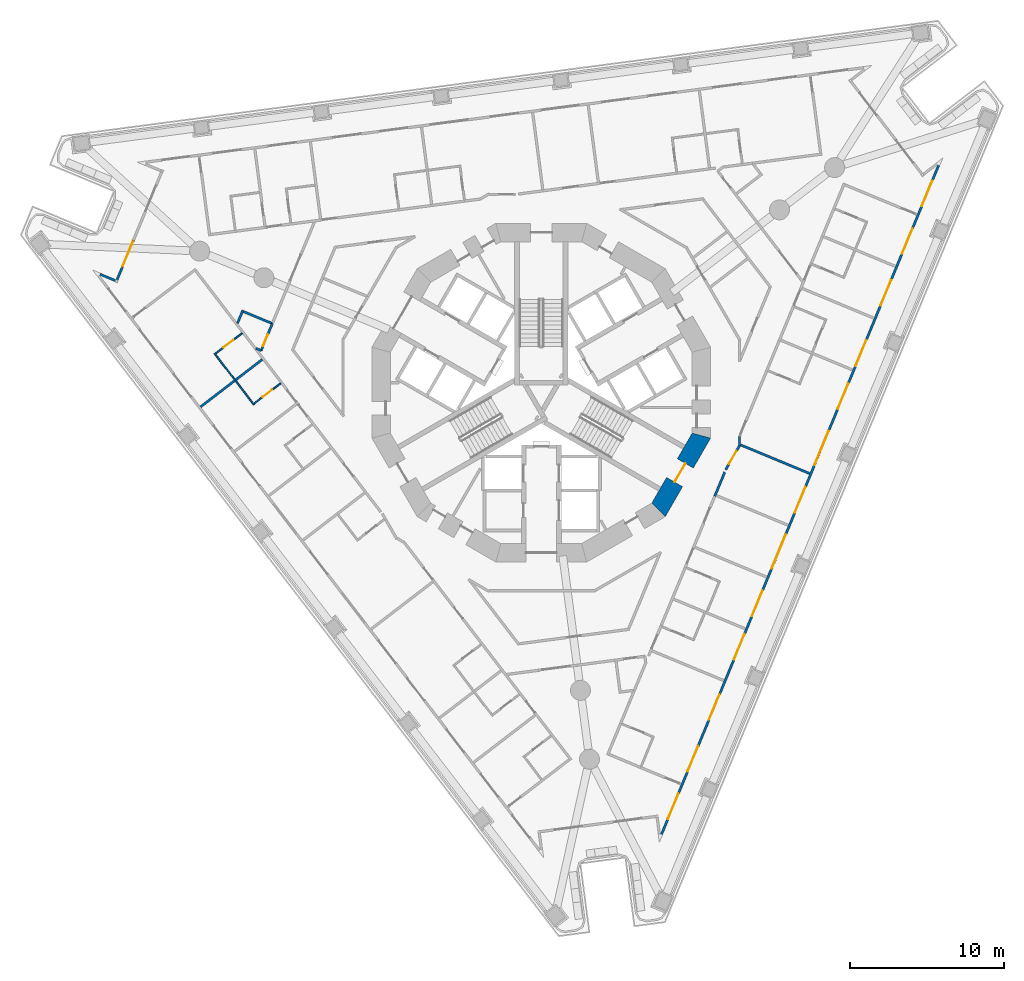
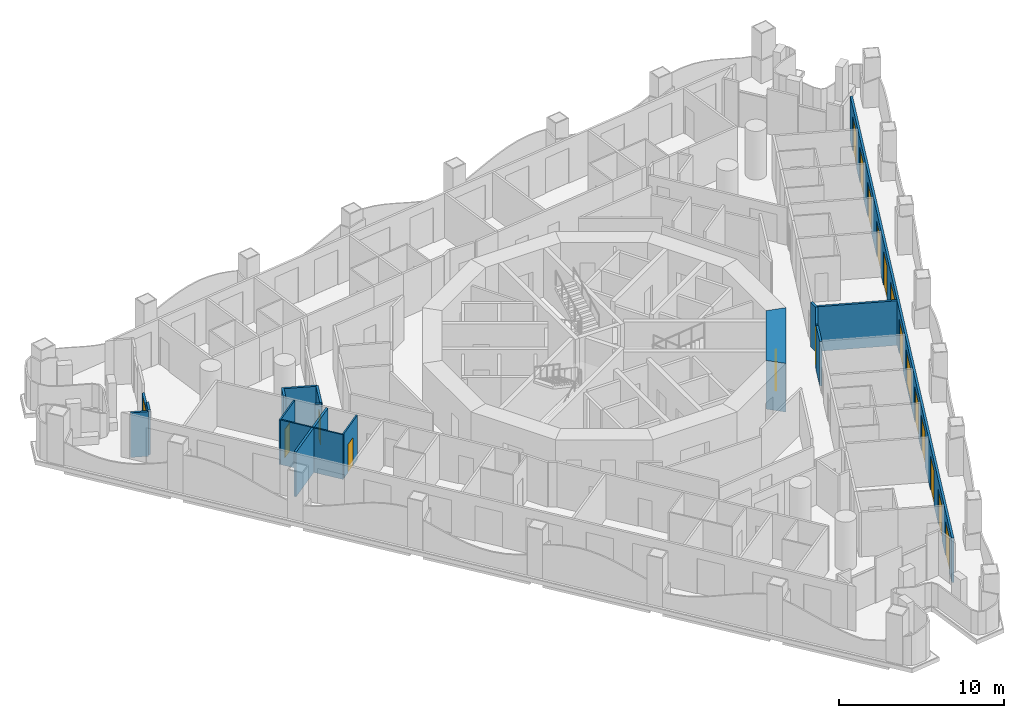
# One storey, part 5 of 19: 18 walls, 17 doors, 2 windows, 19 openings.
"""IFC4 building model written with IfcOpenShell, lengths in metres."""

from ifc_helpers import new_model, si_unit, direction, frame, frame_2d, origin, place, context, subcontext, project, spatial, polyline, rectangle, outline, extrude, material, layer, layer_set, type_object, element, fill, save


model = new_model("IFC4")

# Units and contexts
model_context = context("Model", 3, precision=1e-05, world=origin(), true_north=direction((0.0, 1.0)))
body_context = subcontext(model_context, "Body", "Model", "MODEL_VIEW")
ifc_project = project(units=[si_unit("LENGTHUNIT", "METRE"), si_unit("AREAUNIT", "SQUARE_METRE"), si_unit("VOLUMEUNIT", "CUBIC_METRE"), si_unit("PLANEANGLEUNIT", "RADIAN"), si_unit("MASSUNIT", "GRAM", prefix="KILO")], contexts=[model_context])

# Site, building, storey
site_placement = place(None, origin())
site = spatial("IfcSite", under=ifc_project, at=site_placement, CompositionType="ELEMENT")
building_placement = place(site_placement, origin())
building = spatial("IfcBuilding", under=site, at=building_placement, Name="Trine Commons Tower", CompositionType="ELEMENT")
storey_placement = place(building_placement, frame((0.0, 0.0, 68.39990234375)))
storey = spatial("IfcBuildingStorey", under=building, at=storey_placement, Name="L16", CompositionType="ELEMENT", Elevation=68.39990234375)

# Walls
ifc_material_1 = material(Name="Aluminium-framed insulated wall panel", Category="aluminium")
ifc_layer_1 = layer(ifc_material_1, 0.14990234375)
ifc_layer_set_1 = layer_set([ifc_layer_1], Name="Aluminium-framed insulated wall panel")
wall_type_1 = type_object("IfcWallType", Name="Glazed frame wall 150, EI 60", PredefinedType="SOLIDWALL", material=ifc_layer_set_1)
wall_1_placement = place(storey_placement, frame((51.175537109375, 70.256103515625, 0.0), z_axis=(0.0, 0.0, 1.0), x_axis=(0.923901801611, -0.382629665579, 0.0)))
element("IfcWall", 1, at=wall_1_placement, inside=storey, type_object=wall_type_1, Name="Glazed frame wall R1", PredefinedType="SOLIDWALL", context=body_context, shape_type="SweptSolid", body=[
    extrude(outline(polyline([(0.1494140625, 0.074951171875), (0.1494140625, -0.074951171875), (1.235107421875, -0.074951171875), (1.235107421875, 0.074951171875), (0.1494140625, 0.074951171875)])), origin(), (0.0, 0.0, 1.0), 3.300048828125),
])
wall_2_placement = place(storey_placement, frame((52.372314453125, 69.722412109375, 0.0), z_axis=(0.0, 0.0, 1.0), x_axis=(0.382603377961, 0.923912688068, 0.0)))
element("IfcWall", 2, at=wall_2_placement, inside=storey, type_object=wall_type_1, Name="Glazed frame wall P1.1", PredefinedType="SOLIDWALL", context=body_context, shape_type="SweptSolid", body=[
    extrude(outline(polyline([(0.110107421875, -0.074951171875), (1.0, -0.074951171875), (1.0, 0.074951171875), (0.110107421875, 0.074951171875), (0.110107421875, -0.074951171875)])), origin(), (0.0, 0.0, 1.0), 3.300048828125),
])

# Wall, opening, door
wall_3_placement = place(storey_placement, frame((52.7548828125, 70.646240234375, 0.0), z_axis=(0.0, 0.0, 1.0), x_axis=(0.382771661121, 0.923842982028, 0.0)))
wall_3 = element("IfcWall", 3, at=wall_3_placement, inside=storey, type_object=wall_type_1, Name="Glazed frame wall P1.2", PredefinedType="SOLIDWALL", context=body_context, shape_type="SweptSolid", body=[
    extrude(outline(polyline([(0.0, -0.074951171875), (1.89990234375, -0.074951171875), (1.89990234375, 0.074951171875), (0.0, 0.074951171875), (0.0, -0.074951171875)])), origin(), (0.0, 0.0, 1.0), 2.650146484375),
])
opening_1_placement = place(wall_3_placement, frame((0.050048828125, 0.0, 0.0)))
opening_1 = element("IfcOpeningElement", 4, at=opening_1_placement, cuts=wall_3, Name="Opening BD-2P1-01", PredefinedType="OPENING", context=body_context, shape_type="SweptSolid", body=[
    extrude(rectangle(XDim=1.800048828125, YDim=2.60009765625, at=frame_2d((0.89990234375, 1.300048828125))), frame((0.0, 0.0849609375, 0.0), z_axis=(0.0, -1.0, 0.0), x_axis=(1.0, 0.0, 0.0)), (0.0, 0.0, 1.0), 0.169921875),
])
ifc_material_2 = material(Name="Anodised aluminium frame with double glazing", Category="aluminium")
door_type_1 = type_object("IfcDoorType", Name="Sliding loggia door 1800x2600", OperationType="SLIDING_TO_LEFT", PredefinedType="DOOR", material=ifc_material_2)
door_1_placement = place(opening_1_placement, origin())
door_1 = element("IfcDoor", 5, at=door_1_placement, inside=storey, type_object=door_type_1, Name="Loggia door P1 1", OperationType="SLIDING_TO_LEFT", OverallHeight=2.60009765625, OverallWidth=1.800048828125, PredefinedType="DOOR", context=body_context, shape_type="SweptSolid", body=[
    extrude(rectangle(XDim=1.800048828125, YDim=2.60009765625, at=frame_2d((0.89990234375, 1.300048828125))), frame((0.0, 0.02490234375, 0.0), z_axis=(0.0, -1.0, 0.0), x_axis=(1.0, 0.0, 0.0)), (0.0, 0.0, 1.0), 0.050048828125),
])
fill(opening_1, door_1)

# Wall, openings, windows, doors
wall_4_placement = place(storey_placement, frame((105.888671875, 77.410888671875, 0.0), z_axis=(0.0, 0.0, 1.0), x_axis=(-0.38268395344, -0.923879316675, 0.0)))
wall_4 = element("IfcWall", 6, at=wall_4_placement, inside=storey, type_object=wall_type_1, Name="Glazed frame wall F2", PredefinedType="SOLIDWALL", context=body_context, shape_type="SweptSolid", body=[
    extrude(outline(polyline([(0.1494140625, 0.074951171875), (0.1494140625, -0.074951171875), (47.216796875, -0.074951171875), (47.216796875, 0.074951171875), (0.1494140625, 0.074951171875)])), origin(), (0.0, 0.0, 1.0), 3.300048828125),
])
opening_2_placement = place(wall_4_placement, frame((1.2216796875, 0.0, 0.0)))
opening_2 = element("IfcOpeningElement", 7, at=opening_2_placement, cuts=wall_4, Name="Opening BD-2F2-01", PredefinedType="OPENING", context=body_context, shape_type="SweptSolid", body=[
    extrude(rectangle(XDim=1.800048828125, YDim=2.60009765625, at=frame_2d((0.89990234375, 1.300048828125))), frame((0.0, 0.0849609375, 0.0), z_axis=(0.0, -1.0, 0.0), x_axis=(1.0, 0.0, 0.0)), (0.0, 0.0, 1.0), 0.169921875),
])
opening_3_placement = place(wall_4_placement, frame((4.5654296875, 0.0, 0.0)))
opening_3 = element("IfcOpeningElement", 8, at=opening_3_placement, cuts=wall_4, Name="Opening BD-2F2-02", PredefinedType="OPENING", context=body_context, shape_type="SweptSolid", body=[
    extrude(rectangle(XDim=1.800048828125, YDim=2.60009765625, at=frame_2d((0.89990234375, 1.300048828125))), frame((0.0, 0.0849609375, 0.0), z_axis=(0.0, -1.0, 0.0), x_axis=(1.0, 0.0, 0.0)), (0.0, 0.0, 1.0), 0.169921875),
])
opening_4_placement = place(wall_4_placement, frame((8.208984375, 0.0, 0.0)))
opening_4 = element("IfcOpeningElement", 9, at=opening_4_placement, cuts=wall_4, Name="Opening BD-2F2-03", PredefinedType="OPENING", context=body_context, shape_type="SweptSolid", body=[
    extrude(rectangle(XDim=1.800048828125, YDim=2.60009765625, at=frame_2d((0.89990234375, 1.300048828125))), frame((0.0, 0.0849609375, 0.0), z_axis=(0.0, -1.0, 0.0), x_axis=(1.0, 0.0, 0.0)), (0.0, 0.0, 1.0), 0.169921875),
])
opening_5_placement = place(wall_4_placement, frame((12.45263671875, 0.0, 0.0)))
opening_5 = element("IfcOpeningElement", 10, at=opening_5_placement, cuts=wall_4, Name="Opening BD-2F2-04", PredefinedType="OPENING", context=body_context, shape_type="SweptSolid", body=[
    extrude(rectangle(XDim=1.800048828125, YDim=2.60009765625, at=frame_2d((0.89990234375, 1.300048828125))), frame((0.0, 0.0849609375, 0.0), z_axis=(0.0, -1.0, 0.0), x_axis=(1.0, 0.0, 0.0)), (0.0, 0.0, 1.0), 0.169921875),
])
opening_6_placement = place(wall_4_placement, frame((15.49609375, 0.0, 0.0)))
opening_6 = element("IfcOpeningElement", 11, at=opening_6_placement, cuts=wall_4, Name="Opening BD-2F2-05", PredefinedType="OPENING", context=body_context, shape_type="SweptSolid", body=[
    extrude(rectangle(XDim=1.800048828125, YDim=2.60009765625, at=frame_2d((0.89990234375, 1.300048828125))), frame((0.0, 0.0849609375, 0.0), z_axis=(0.0, -1.0, 0.0), x_axis=(1.0, 0.0, 0.0)), (0.0, 0.0, 1.0), 0.169921875),
])
opening_7_placement = place(wall_4_placement, frame((18.83984375, 0.0, 0.14990234375)))
opening_7 = element("IfcOpeningElement", 12, at=opening_7_placement, cuts=wall_4, Name="Opening W-2F2-06", PredefinedType="OPENING", context=body_context, shape_type="SweptSolid", body=[
    extrude(rectangle(XDim=2.39990234375, YDim=2.449951171875, at=frame_2d((1.199951171875, 1.22509765625))), frame((0.0, 0.0849609375, 0.0), z_axis=(0.0, -1.0, 0.0), x_axis=(1.0, 0.0, 0.0)), (0.0, 0.0, 1.0), 0.169921875),
])
opening_8_placement = place(wall_4_placement, frame((22.783447265625, 0.0, 0.0)))
opening_8 = element("IfcOpeningElement", 13, at=opening_8_placement, cuts=wall_4, Name="Opening BD-2F2-07", PredefinedType="OPENING", context=body_context, shape_type="SweptSolid", body=[
    extrude(rectangle(XDim=1.800048828125, YDim=2.60009765625, at=frame_2d((0.89990234375, 1.300048828125))), frame((0.0, 0.0849609375, 0.0), z_axis=(0.0, -1.0, 0.0), x_axis=(1.0, 0.0, 0.0)), (0.0, 0.0, 1.0), 0.169921875),
])
opening_9_placement = place(wall_4_placement, frame((26.126953125, 0.0, 0.14990234375)))
opening_9 = element("IfcOpeningElement", 14, at=opening_9_placement, cuts=wall_4, Name="Opening W-2F2-08", PredefinedType="OPENING", context=body_context, shape_type="SweptSolid", body=[
    extrude(rectangle(XDim=2.39990234375, YDim=2.449951171875, at=frame_2d((1.199951171875, 1.22509765625))), frame((0.0, 0.0849609375, 0.0), z_axis=(0.0, -1.0, 0.0), x_axis=(1.0, 0.0, 0.0)), (0.0, 0.0, 1.0), 0.169921875),
])
opening_10_placement = place(wall_4_placement, frame((30.070556640625, 0.0, 0.0)))
opening_10 = element("IfcOpeningElement", 15, at=opening_10_placement, cuts=wall_4, Name="Opening BD-2F2-09", PredefinedType="OPENING", context=body_context, shape_type="SweptSolid", body=[
    extrude(rectangle(XDim=1.800048828125, YDim=2.60009765625, at=frame_2d((0.89990234375, 1.300048828125))), frame((0.0, 0.0849609375, 0.0), z_axis=(0.0, -1.0, 0.0), x_axis=(1.0, 0.0, 0.0)), (0.0, 0.0, 1.0), 0.169921875),
])
opening_11_placement = place(wall_4_placement, frame((33.1142578125, 0.0, 0.0)))
opening_11 = element("IfcOpeningElement", 16, at=opening_11_placement, cuts=wall_4, Name="Opening BD-2F2-10", PredefinedType="OPENING", context=body_context, shape_type="SweptSolid", body=[
    extrude(rectangle(XDim=1.800048828125, YDim=2.60009765625, at=frame_2d((0.89990234375, 1.300048828125))), frame((0.0, 0.0849609375, 0.0), z_axis=(0.0, -1.0, 0.0), x_axis=(1.0, 0.0, 0.0)), (0.0, 0.0, 1.0), 0.169921875),
])
opening_12_placement = place(wall_4_placement, frame((37.35791015625, 0.0, 0.0)))
opening_12 = element("IfcOpeningElement", 17, at=opening_12_placement, cuts=wall_4, Name="Opening BD-2F2-11", PredefinedType="OPENING", context=body_context, shape_type="SweptSolid", body=[
    extrude(rectangle(XDim=1.800048828125, YDim=2.60009765625, at=frame_2d((0.89990234375, 1.300048828125))), frame((0.0, 0.0849609375, 0.0), z_axis=(0.0, -1.0, 0.0), x_axis=(1.0, 0.0, 0.0)), (0.0, 0.0, 1.0), 0.169921875),
])
opening_13_placement = place(wall_4_placement, frame((41.00146484375, 0.0, 0.0)))
opening_13 = element("IfcOpeningElement", 18, at=opening_13_placement, cuts=wall_4, Name="Opening BD-2F2-12", PredefinedType="OPENING", context=body_context, shape_type="SweptSolid", body=[
    extrude(rectangle(XDim=1.800048828125, YDim=2.60009765625, at=frame_2d((0.89990234375, 1.300048828125))), frame((0.0, 0.0849609375, 0.0), z_axis=(0.0, -1.0, 0.0), x_axis=(1.0, 0.0, 0.0)), (0.0, 0.0, 1.0), 0.169921875),
])
opening_14_placement = place(wall_4_placement, frame((44.344970703125, 0.0, 0.0)))
opening_14 = element("IfcOpeningElement", 19, at=opening_14_placement, cuts=wall_4, Name="Opening BD-2F2-13", PredefinedType="OPENING", context=body_context, shape_type="SweptSolid", body=[
    extrude(rectangle(XDim=1.800048828125, YDim=2.60009765625, at=frame_2d((0.89990234375, 1.300048828125))), frame((0.0, 0.0849609375, 0.0), z_axis=(0.0, -1.0, 0.0), x_axis=(1.0, 0.0, 0.0)), (0.0, 0.0, 1.0), 0.169921875),
])
window_type = type_object("IfcWindowType", Name="Fixed window 2400x2450", PartitioningType="SINGLE_PANEL", PredefinedType="WINDOW", material=ifc_material_2)
window_1_placement = place(opening_7_placement, origin())
window_1 = element("IfcWindow", 20, at=window_1_placement, inside=storey, type_object=window_type, Name="Window F2 6", OverallHeight=2.449951171875, OverallWidth=2.39990234375, PartitioningType="SINGLE_PANEL", PredefinedType="WINDOW", context=body_context, shape_type="SweptSolid", body=[
    extrude(rectangle(XDim=2.39990234375, YDim=2.449951171875, at=frame_2d((1.199951171875, 1.22509765625))), frame((0.0, 0.030029296875, 0.0), z_axis=(0.0, -1.0, 0.0), x_axis=(1.0, 0.0, 0.0)), (0.0, 0.0, 1.0), 0.06005859375),
])
fill(opening_7, window_1)
window_2_placement = place(opening_9_placement, origin())
window_2 = element("IfcWindow", 21, at=window_2_placement, inside=storey, type_object=window_type, Name="Window F2 8", OverallHeight=2.449951171875, OverallWidth=2.39990234375, PartitioningType="SINGLE_PANEL", PredefinedType="WINDOW", context=body_context, shape_type="SweptSolid", body=[
    extrude(rectangle(XDim=2.39990234375, YDim=2.449951171875, at=frame_2d((1.199951171875, 1.22509765625))), frame((0.0, 0.030029296875, 0.0), z_axis=(0.0, -1.0, 0.0), x_axis=(1.0, 0.0, 0.0)), (0.0, 0.0, 1.0), 0.06005859375),
])
fill(opening_9, window_2)
door_2_placement = place(opening_2_placement, origin())
door_2 = element("IfcDoor", 22, at=door_2_placement, inside=storey, type_object=door_type_1, Name="Loggia door F2 1", OperationType="SLIDING_TO_LEFT", OverallHeight=2.60009765625, OverallWidth=1.800048828125, PredefinedType="DOOR", context=body_context, shape_type="SweptSolid", body=[
    extrude(rectangle(XDim=1.800048828125, YDim=2.60009765625, at=frame_2d((0.89990234375, 1.300048828125))), frame((0.0, 0.02490234375, 0.0), z_axis=(0.0, -1.0, 0.0), x_axis=(1.0, 0.0, 0.0)), (0.0, 0.0, 1.0), 0.050048828125),
])
fill(opening_2, door_2)
door_3_placement = place(opening_3_placement, origin())
door_3 = element("IfcDoor", 23, at=door_3_placement, inside=storey, type_object=door_type_1, Name="Loggia door F2 2", OperationType="SLIDING_TO_LEFT", OverallHeight=2.60009765625, OverallWidth=1.800048828125, PredefinedType="DOOR", context=body_context, shape_type="SweptSolid", body=[
    extrude(rectangle(XDim=1.800048828125, YDim=2.60009765625, at=frame_2d((0.89990234375, 1.300048828125))), frame((0.0, 0.02490234375, 0.0), z_axis=(0.0, -1.0, 0.0), x_axis=(1.0, 0.0, 0.0)), (0.0, 0.0, 1.0), 0.050048828125),
])
fill(opening_3, door_3)
door_4_placement = place(opening_4_placement, origin())
door_4 = element("IfcDoor", 24, at=door_4_placement, inside=storey, type_object=door_type_1, Name="Loggia door F2 3", OperationType="SLIDING_TO_LEFT", OverallHeight=2.60009765625, OverallWidth=1.800048828125, PredefinedType="DOOR", context=body_context, shape_type="SweptSolid", body=[
    extrude(rectangle(XDim=1.800048828125, YDim=2.60009765625, at=frame_2d((0.89990234375, 1.300048828125))), frame((0.0, 0.02490234375, 0.0), z_axis=(0.0, -1.0, 0.0), x_axis=(1.0, 0.0, 0.0)), (0.0, 0.0, 1.0), 0.050048828125),
])
fill(opening_4, door_4)
door_5_placement = place(opening_5_placement, origin())
door_5 = element("IfcDoor", 25, at=door_5_placement, inside=storey, type_object=door_type_1, Name="Loggia door F2 4", OperationType="SLIDING_TO_LEFT", OverallHeight=2.60009765625, OverallWidth=1.800048828125, PredefinedType="DOOR", context=body_context, shape_type="SweptSolid", body=[
    extrude(rectangle(XDim=1.800048828125, YDim=2.60009765625, at=frame_2d((0.89990234375, 1.300048828125))), frame((0.0, 0.02490234375, 0.0), z_axis=(0.0, -1.0, 0.0), x_axis=(1.0, 0.0, 0.0)), (0.0, 0.0, 1.0), 0.050048828125),
])
fill(opening_5, door_5)
door_6_placement = place(opening_6_placement, origin())
door_6 = element("IfcDoor", 26, at=door_6_placement, inside=storey, type_object=door_type_1, Name="Loggia door F2 5", OperationType="SLIDING_TO_LEFT", OverallHeight=2.60009765625, OverallWidth=1.800048828125, PredefinedType="DOOR", context=body_context, shape_type="SweptSolid", body=[
    extrude(rectangle(XDim=1.800048828125, YDim=2.60009765625, at=frame_2d((0.89990234375, 1.300048828125))), frame((0.0, 0.02490234375, 0.0), z_axis=(0.0, -1.0, 0.0), x_axis=(1.0, 0.0, 0.0)), (0.0, 0.0, 1.0), 0.050048828125),
])
fill(opening_6, door_6)
door_7_placement = place(opening_8_placement, origin())
door_7 = element("IfcDoor", 27, at=door_7_placement, inside=storey, type_object=door_type_1, Name="Loggia door F2 7", OperationType="SLIDING_TO_LEFT", OverallHeight=2.60009765625, OverallWidth=1.800048828125, PredefinedType="DOOR", context=body_context, shape_type="SweptSolid", body=[
    extrude(rectangle(XDim=1.800048828125, YDim=2.60009765625, at=frame_2d((0.89990234375, 1.300048828125))), frame((0.0, 0.02490234375, 0.0), z_axis=(0.0, -1.0, 0.0), x_axis=(1.0, 0.0, 0.0)), (0.0, 0.0, 1.0), 0.050048828125),
])
fill(opening_8, door_7)
door_8_placement = place(opening_10_placement, origin())
door_8 = element("IfcDoor", 28, at=door_8_placement, inside=storey, type_object=door_type_1, Name="Loggia door F2 9", OperationType="SLIDING_TO_LEFT", OverallHeight=2.60009765625, OverallWidth=1.800048828125, PredefinedType="DOOR", context=body_context, shape_type="SweptSolid", body=[
    extrude(rectangle(XDim=1.800048828125, YDim=2.60009765625, at=frame_2d((0.89990234375, 1.300048828125))), frame((0.0, 0.02490234375, 0.0), z_axis=(0.0, -1.0, 0.0), x_axis=(1.0, 0.0, 0.0)), (0.0, 0.0, 1.0), 0.050048828125),
])
fill(opening_10, door_8)
door_9_placement = place(opening_11_placement, origin())
door_9 = element("IfcDoor", 29, at=door_9_placement, inside=storey, type_object=door_type_1, Name="Loggia door F2 10", OperationType="SLIDING_TO_LEFT", OverallHeight=2.60009765625, OverallWidth=1.800048828125, PredefinedType="DOOR", context=body_context, shape_type="SweptSolid", body=[
    extrude(rectangle(XDim=1.800048828125, YDim=2.60009765625, at=frame_2d((0.89990234375, 1.300048828125))), frame((0.0, 0.02490234375, 0.0), z_axis=(0.0, -1.0, 0.0), x_axis=(1.0, 0.0, 0.0)), (0.0, 0.0, 1.0), 0.050048828125),
])
fill(opening_11, door_9)
door_10_placement = place(opening_12_placement, origin())
door_10 = element("IfcDoor", 30, at=door_10_placement, inside=storey, type_object=door_type_1, Name="Loggia door F2 11", OperationType="SLIDING_TO_LEFT", OverallHeight=2.60009765625, OverallWidth=1.800048828125, PredefinedType="DOOR", context=body_context, shape_type="SweptSolid", body=[
    extrude(rectangle(XDim=1.800048828125, YDim=2.60009765625, at=frame_2d((0.89990234375, 1.300048828125))), frame((0.0, 0.02490234375, 0.0), z_axis=(0.0, -1.0, 0.0), x_axis=(1.0, 0.0, 0.0)), (0.0, 0.0, 1.0), 0.050048828125),
])
fill(opening_12, door_10)
door_11_placement = place(opening_13_placement, origin())
door_11 = element("IfcDoor", 31, at=door_11_placement, inside=storey, type_object=door_type_1, Name="Loggia door F2 12", OperationType="SLIDING_TO_LEFT", OverallHeight=2.60009765625, OverallWidth=1.800048828125, PredefinedType="DOOR", context=body_context, shape_type="SweptSolid", body=[
    extrude(rectangle(XDim=1.800048828125, YDim=2.60009765625, at=frame_2d((0.89990234375, 1.300048828125))), frame((0.0, 0.02490234375, 0.0), z_axis=(0.0, -1.0, 0.0), x_axis=(1.0, 0.0, 0.0)), (0.0, 0.0, 1.0), 0.050048828125),
])
fill(opening_13, door_11)
door_12_placement = place(opening_14_placement, origin())
door_12 = element("IfcDoor", 32, at=door_12_placement, inside=storey, type_object=door_type_1, Name="Loggia door F2 13", OperationType="SLIDING_TO_LEFT", OverallHeight=2.60009765625, OverallWidth=1.800048828125, PredefinedType="DOOR", context=body_context, shape_type="SweptSolid", body=[
    extrude(rectangle(XDim=1.800048828125, YDim=2.60009765625, at=frame_2d((0.89990234375, 1.300048828125))), frame((0.0, 0.02490234375, 0.0), z_axis=(0.0, -1.0, 0.0), x_axis=(1.0, 0.0, 0.0)), (0.0, 0.0, 1.0), 0.050048828125),
])
fill(opening_14, door_12)

# Wall, opening, door
ifc_material_3 = material(Name="Concrete C80/95", Category="concrete")
ifc_layer_2 = layer(ifc_material_3, 1.199951171875)
ifc_layer_set_2 = layer_set([ifc_layer_2], Name="Concrete C80/95")
wall_type_2 = type_object("IfcWallType", Name="RC shear wall 1200 mm, C80/95", PredefinedType="SHEAR", material=ifc_layer_set_2)
wall_5_placement = place(storey_placement, frame((87.54150390625, 54.739013671875, 0.0), z_axis=(0.0, 0.0, 1.0), x_axis=(0.499979111662, 0.866037463336, 0.0)))
wall_5 = element("IfcWall", 33, at=wall_5_placement, inside=storey, type_object=wall_type_2, Name="Core wall CWB-12 L16", PredefinedType="SHEAR", context=body_context, shape_type="SweptSolid", body=[
    extrude(outline(polyline([(0.0, -0.60009765625), (5.901123046875, -0.60009765625), (5.57958984375, 0.60009765625), (0.321533203125, 0.60009765625), (0.0, -0.60009765625)])), origin(), (0.0, 0.0, 1.0), 3.60009765625),
])
opening_15_placement = place(wall_5_placement, frame((2.25048828125, 0.0, 0.0)))
opening_15 = element("IfcOpeningElement", 34, at=opening_15_placement, cuts=wall_5, Name="Opening K07.03", PredefinedType="OPENING", context=body_context, shape_type="SweptSolid", body=[
    extrude(rectangle(XDim=1.39990234375, YDim=2.10009765625, at=frame_2d((0.699951171875, 1.050048828125))), frame((0.0, 0.60986328125, 0.0), z_axis=(0.0, -1.0, 0.0), x_axis=(1.0, 0.0, 0.0)), (0.0, 0.0, 1.0), 1.219970703125),
])
ifc_material_4 = material(Name="Steel door leaves, fire-rated", Category="steel")
door_type_2 = type_object("IfcDoorType", Name="Stair door, double leaf 1400 x 2100, FD90", OperationType="DOUBLE_DOOR_SINGLE_SWING", PredefinedType="DOOR", material=ifc_material_4)
door_13_placement = place(opening_15_placement, origin())
door_13 = element("IfcDoor", 35, at=door_13_placement, inside=storey, type_object=door_type_2, Name="Stair door to Exit stair ST3A L16", OperationType="DOUBLE_DOOR_SINGLE_SWING", OverallHeight=2.10009765625, OverallWidth=1.39990234375, PredefinedType="DOOR", context=body_context, shape_type="SweptSolid", body=[
    extrude(rectangle(XDim=1.39990234375, YDim=2.10009765625, at=frame_2d((0.699951171875, 1.050048828125))), frame((0.0, 0.02490234375, 0.0), z_axis=(0.0, -1.0, 0.0), x_axis=(1.0, 0.0, 0.0)), (0.0, 0.0, 1.0), 0.050048828125),
])
fill(opening_15, door_13)

# Walls
ifc_material_5 = material(Name="Gypsum plasterboard on steel stud", Category="steel")
ifc_layer_3 = layer(ifc_material_5, 0.14990234375)
ifc_layer_set_3 = layer_set([ifc_layer_3], Name="Gypsum plasterboard on steel stud")
wall_type_3 = type_object("IfcWallType", Name="Unit and corridor wall 150 mm, EI 60", PredefinedType="PARTITIONING", material=ifc_layer_set_3)
wall_6_placement = place(storey_placement, frame((57.84765625, 61.576416015625, 0.0), z_axis=(0.0, 0.0, 1.0), x_axis=(0.793280814045, 0.608855935397, 0.0)))
element("IfcWall", 36, at=wall_6_placement, inside=storey, type_object=wall_type_3, Name="Partition 004", PredefinedType="PARTITIONING", context=body_context, shape_type="SweptSolid", body=[
    extrude(rectangle(XDim=2.789306640625, YDim=0.14990234375, at=frame_2d((1.39453125, 0.0))), origin(), (0.0, 0.0, 1.0), 3.300048828125),
])
wall_7_placement = place(storey_placement, frame((60.1396484375, 63.33544921875, 0.0), z_axis=(0.0, 0.0, 1.0), x_axis=(0.79342025342, 0.608674216197, 0.0)))
element("IfcWall", 37, at=wall_7_placement, inside=storey, type_object=wall_type_3, Name="Partition 011", PredefinedType="PARTITIONING", context=body_context, shape_type="SweptSolid", body=[
    extrude(rectangle(XDim=2.17529296875, YDim=0.14990234375, at=frame_2d((1.087646484375, 0.0))), origin(), (0.0, 0.0, 1.0), 3.300048828125),
])
wall_8_placement = place(storey_placement, frame((60.24560546875, 67.000244140625, 0.0), z_axis=(0.0, 0.0, 1.0), x_axis=(0.383080061035, 0.923715143774, 0.0)))
element("IfcWall", 38, at=wall_8_placement, inside=storey, type_object=wall_type_3, Name="Partition 013", PredefinedType="PARTITIONING", context=body_context, shape_type="SweptSolid", body=[
    extrude(rectangle(XDim=0.9375, YDim=0.14990234375, at=frame_2d((0.46875, 0.0))), origin(), (0.0, 0.0, 1.0), 3.300048828125),
])
wall_9_placement = place(storey_placement, frame((60.645263671875, 67.768310546875, 0.0), z_axis=(0.0, 0.0, 1.0), x_axis=(0.923799320148, -0.382877024767, 0.0)))
element("IfcWall", 39, at=wall_9_placement, inside=storey, type_object=wall_type_3, Name="Partition 014", PredefinedType="PARTITIONING", context=body_context, shape_type="SweptSolid", body=[
    extrude(rectangle(XDim=2.025146484375, YDim=0.14990234375, at=frame_2d((1.0126953125, 0.0))), origin(), (0.0, 0.0, 1.0), 3.300048828125),
])
wall_10_placement = place(storey_placement, frame((61.43896484375, 65.38330078125, 0.0), z_axis=(0.0, 0.0, 1.0), x_axis=(0.923599819829, -0.383358021714, 0.0)))
element("IfcWall", 40, at=wall_10_placement, inside=storey, type_object=wall_type_3, Name="Partition 017", PredefinedType="PARTITIONING", context=body_context, shape_type="SweptSolid", body=[
    extrude(rectangle(XDim=0.39990234375, YDim=0.14990234375, at=frame_2d((0.199951171875, 0.0))), origin(), (0.0, 0.0, 1.0), 3.300048828125),
])

# Wall, opening, door
wall_11_placement = place(storey_placement, frame((61.787109375, 65.23388671875, 0.0), z_axis=(0.0, 0.0, 1.0), x_axis=(0.38314285934, 0.923689097769, 0.0)))
wall_11 = element("IfcWall", 41, at=wall_11_placement, inside=storey, type_object=wall_type_3, Name="Partition 019", PredefinedType="PARTITIONING", context=body_context, shape_type="SweptSolid", body=[
    extrude(rectangle(XDim=1.90771484375, YDim=0.14990234375, at=frame_2d((0.953857421875, 0.0))), origin(), (0.0, 0.0, 1.0), 3.300048828125),
])
opening_16_placement = place(wall_11_placement, frame((0.328125, 0.0, 0.0)))
opening_16 = element("IfcOpeningElement", 42, at=opening_16_placement, cuts=wall_11, Name="Opening D-2B06", PredefinedType="OPENING", context=body_context, shape_type="SweptSolid", body=[
    extrude(rectangle(XDim=0.800048828125, YDim=2.10009765625, at=frame_2d((0.39990234375, 1.050048828125))), frame((0.0, 0.0849609375, 0.0), z_axis=(0.0, -1.0, 0.0), x_axis=(1.0, 0.0, 0.0)), (0.0, 0.0, 1.0), 0.169921875),
])
ifc_material_6 = material(Name="Painted timber", Category="wood")
door_type_3 = type_object("IfcDoorType", Name="Toilet door 800 x 2100, NOT RATED", OperationType="NOTDEFINED", PredefinedType="DOOR", material=ifc_material_6)
door_14_placement = place(opening_16_placement, origin())
door_14 = element("IfcDoor", 43, at=door_14_placement, inside=storey, type_object=door_type_3, Name="Door D-2B06", OperationType="SINGLE_SWING_LEFT", OverallHeight=2.10009765625, OverallWidth=0.800048828125, PredefinedType="DOOR", context=body_context, shape_type="SweptSolid", body=[
    extrude(rectangle(XDim=0.800048828125, YDim=2.10009765625, at=frame_2d((0.39990234375, 1.050048828125))), frame((0.0, 0.02490234375, 0.0), z_axis=(0.0, -1.0, 0.0), x_axis=(1.0, 0.0, 0.0)), (0.0, 0.0, 1.0), 0.050048828125),
])
fill(opening_16, door_14)

# Wall
wall_12_placement = place(storey_placement, frame((91.2802734375, 55.769775390625, 0.0), z_axis=(0.0, 0.0, 1.0), x_axis=(0.382865069258, 0.923804275127, 0.0)))
element("IfcWall", 44, at=wall_12_placement, inside=storey, type_object=wall_type_3, Name="Partition 121", PredefinedType="PARTITIONING", context=body_context, shape_type="SweptSolid", body=[
    extrude(rectangle(XDim=1.6943359375, YDim=0.14990234375, at=frame_2d((0.84716796875, 0.0))), origin(), (0.0, 0.0, 1.0), 3.300048828125),
])

# Wall, opening, door
wall_13_placement = place(storey_placement, frame((91.988037109375, 57.490966796875, 0.0), z_axis=(0.0, 0.0, 1.0), x_axis=(0.500200642588, 0.865909531738, 0.0)))
wall_13 = element("IfcWall", 45, at=wall_13_placement, inside=storey, type_object=wall_type_3, Name="Partition 126", PredefinedType="PARTITIONING", context=body_context, shape_type="SweptSolid", body=[
    extrude(rectangle(XDim=1.797119140625, YDim=0.14990234375, at=frame_2d((0.8984375, 0.0))), origin(), (0.0, 0.0, 1.0), 3.300048828125),
])
opening_17_placement = place(wall_13_placement, frame((0.418701171875, 0.0, 0.0)))
opening_17 = element("IfcOpeningElement", 46, at=opening_17_placement, cuts=wall_13, Name="Opening D-2B18", PredefinedType="OPENING", context=body_context, shape_type="SweptSolid", body=[
    extrude(rectangle(XDim=1.0, YDim=2.10009765625, at=frame_2d((0.5, 1.050048828125))), frame((0.0, 0.0849609375, 0.0), z_axis=(0.0, -1.0, 0.0), x_axis=(1.0, 0.0, 0.0)), (0.0, 0.0, 1.0), 0.169921875),
])
door_type_4 = type_object("IfcDoorType", Name="Amenity room door 1000 x 2100, NOT RATED", OperationType="NOTDEFINED", PredefinedType="DOOR", material=ifc_material_6)
door_15_placement = place(opening_17_placement, frame((1.0, 0.0, 0.0), z_axis=(0.0, 0.0, 1.0), x_axis=(-1.0, 0.0, 0.0)))
door_15 = element("IfcDoor", 47, at=door_15_placement, inside=storey, type_object=door_type_4, Name="Door D-2B18", OperationType="SINGLE_SWING_LEFT", OverallHeight=2.10009765625, OverallWidth=1.0, PredefinedType="DOOR", context=body_context, shape_type="SweptSolid", body=[
    extrude(rectangle(XDim=1.0, YDim=2.10009765625, at=frame_2d((0.5, 1.050048828125))), frame((0.0, 0.02490234375, 0.0), z_axis=(0.0, -1.0, 0.0), x_axis=(1.0, 0.0, 0.0)), (0.0, 0.0, 1.0), 0.050048828125),
])
fill(opening_17, door_15)

# Walls
wall_14_placement = place(storey_placement, frame((92.886962890625, 59.053955078125, 0.0), z_axis=(0.0, 0.0, 1.0), x_axis=(0.0, 1.0, 0.0)))
element("IfcWall", 48, at=wall_14_placement, inside=storey, type_object=wall_type_3, Name="Partition 129", PredefinedType="PARTITIONING", context=body_context, shape_type="SweptSolid", body=[
    extrude(rectangle(XDim=0.60400390625, YDim=0.14990234375, at=frame_2d((0.302001953125, 0.0))), origin(), (0.0, 0.0, 1.0), 3.300048828125),
])
wall_15_placement = place(storey_placement, frame((92.956298828125, 59.105224609375, 0.0), z_axis=(0.0, 0.0, 1.0), x_axis=(0.923843801062, -0.382769684325, 0.0)))
element("IfcWall", 49, at=wall_15_placement, inside=storey, type_object=wall_type_3, Name="Partition 130", PredefinedType="PARTITIONING", context=body_context, shape_type="SweptSolid", body=[
    extrude(rectangle(XDim=4.8671875, YDim=0.14990234375, at=frame_2d((2.43359375, 0.0))), origin(), (0.0, 0.0, 1.0), 3.300048828125),
])

# Wall, opening, door
ifc_layer_4 = layer(ifc_material_5, 0.10009765625)
ifc_layer_set_4 = layer_set([ifc_layer_4], Name="Gypsum plasterboard on steel stud")
wall_type_4 = type_object("IfcWallType", Name="Unit partition 100 mm, no rating", PredefinedType="PARTITIONING", material=ifc_layer_set_4)
wall_16_placement = place(storey_placement, frame((58.751220703125, 64.980712890625, 0.0), z_axis=(0.0, 0.0, 1.0), x_axis=(0.793437070432, 0.608652294224, 0.0)))
wall_16 = element("IfcWall", 50, at=wall_16_placement, inside=storey, type_object=wall_type_4, Name="Partition 006", PredefinedType="PARTITIONING", context=body_context, shape_type="SweptSolid", body=[
    extrude(rectangle(XDim=2.275146484375, YDim=0.10009765625, at=frame_2d((1.1376953125, 0.0))), origin(), (0.0, 0.0, 1.0), 3.300048828125),
])
opening_18_placement = place(wall_16_placement, frame((0.762451171875, 0.0, 0.0)))
opening_18 = element("IfcOpeningElement", 51, at=opening_18_placement, cuts=wall_16, Name="Opening D-2B57", PredefinedType="OPENING", context=body_context, shape_type="SweptSolid", body=[
    extrude(rectangle(XDim=0.800048828125, YDim=2.10009765625, at=frame_2d((0.39990234375, 1.050048828125))), frame((0.0, 0.06005859375, 0.0), z_axis=(0.0, -1.0, 0.0), x_axis=(1.0, 0.0, 0.0)), (0.0, 0.0, 1.0), 0.1201171875),
])
door_type_5 = type_object("IfcDoorType", Name="Internal door 800 x 2100, NOT RATED", OperationType="NOTDEFINED", PredefinedType="DOOR", material=ifc_material_6)
door_16_placement = place(opening_18_placement, origin())
door_16 = element("IfcDoor", 52, at=door_16_placement, inside=storey, type_object=door_type_5, Name="Door D-2B57", OperationType="SINGLE_SWING_RIGHT", OverallHeight=2.10009765625, OverallWidth=0.800048828125, PredefinedType="DOOR", context=body_context, shape_type="SweptSolid", body=[
    extrude(rectangle(XDim=0.800048828125, YDim=2.10009765625, at=frame_2d((0.39990234375, 1.050048828125))), frame((0.0, 0.02490234375, 0.0), z_axis=(0.0, -1.0, 0.0), x_axis=(1.0, 0.0, 0.0)), (0.0, 0.0, 1.0), 0.050048828125),
])
fill(opening_18, door_16)

# Wall
wall_17_placement = place(storey_placement, frame((58.8212890625, 64.97119140625, 0.0), z_axis=(0.0, 0.0, 1.0), x_axis=(0.608766496324, -0.793349451978, 0.0)))
element("IfcWall", 53, at=wall_17_placement, inside=storey, type_object=wall_type_4, Name="Partition 007", PredefinedType="PARTITIONING", context=body_context, shape_type="SweptSolid", body=[
    extrude(rectangle(XDim=4.100341796875, YDim=0.10009765625, at=frame_2d((2.05029296875, 0.0))), origin(), (0.0, 0.0, 1.0), 3.300048828125),
])

# Wall, opening, door
wall_18_placement = place(storey_placement, frame((61.32666015625, 61.788330078125, 0.0), z_axis=(0.0, 0.0, 1.0), x_axis=(0.79342025342, 0.608674216197, 0.0)))
wall_18 = element("IfcWall", 54, at=wall_18_placement, inside=storey, type_object=wall_type_4, Name="Partition 015", PredefinedType="PARTITIONING", context=body_context, shape_type="SweptSolid", body=[
    extrude(rectangle(XDim=2.17529296875, YDim=0.10009765625, at=frame_2d((1.087646484375, 0.0))), origin(), (0.0, 0.0, 1.0), 3.300048828125),
])
opening_19_placement = place(wall_18_placement, frame((0.6875, 0.0, 0.0)))
opening_19 = element("IfcOpeningElement", 55, at=opening_19_placement, cuts=wall_18, Name="Opening D-2B56", PredefinedType="OPENING", context=body_context, shape_type="SweptSolid", body=[
    extrude(rectangle(XDim=0.800048828125, YDim=2.10009765625, at=frame_2d((0.39990234375, 1.050048828125))), frame((0.0, 0.06005859375, 0.0), z_axis=(0.0, -1.0, 0.0), x_axis=(1.0, 0.0, 0.0)), (0.0, 0.0, 1.0), 0.1201171875),
])
door_17_placement = place(opening_19_placement, frame((0.800048828125, 0.0, 0.0), z_axis=(0.0, 0.0, 1.0), x_axis=(-1.0, 0.0, 0.0)))
door_17 = element("IfcDoor", 56, at=door_17_placement, inside=storey, type_object=door_type_5, Name="Door D-2B56", OperationType="SINGLE_SWING_LEFT", OverallHeight=2.10009765625, OverallWidth=0.800048828125, PredefinedType="DOOR", context=body_context, shape_type="SweptSolid", body=[
    extrude(rectangle(XDim=0.800048828125, YDim=2.10009765625, at=frame_2d((0.39990234375, 1.050048828125))), frame((0.0, 0.02490234375, 0.0), z_axis=(0.0, -1.0, 0.0), x_axis=(1.0, 0.0, 0.0)), (0.0, 0.0, 1.0), 0.050048828125),
])
fill(opening_19, door_17)

save(model, "model.ifc")
